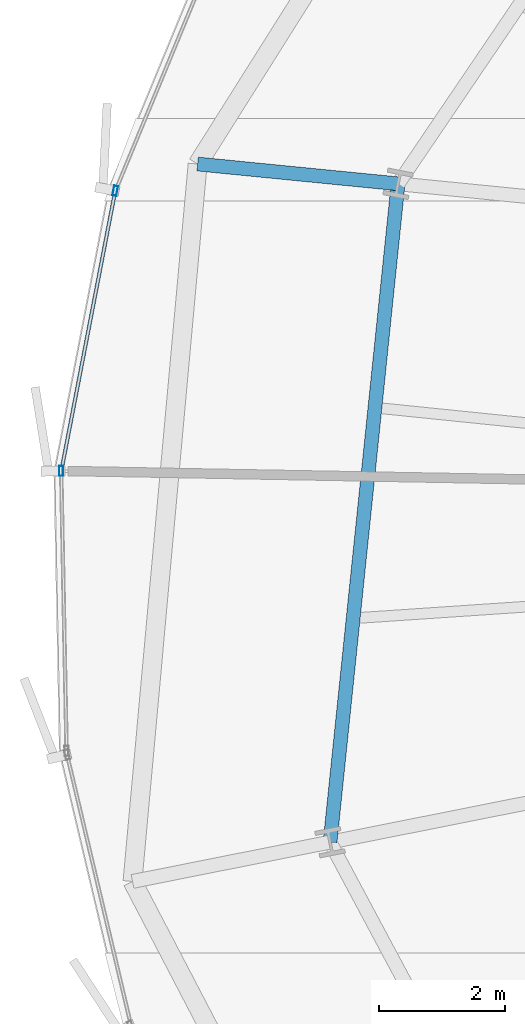
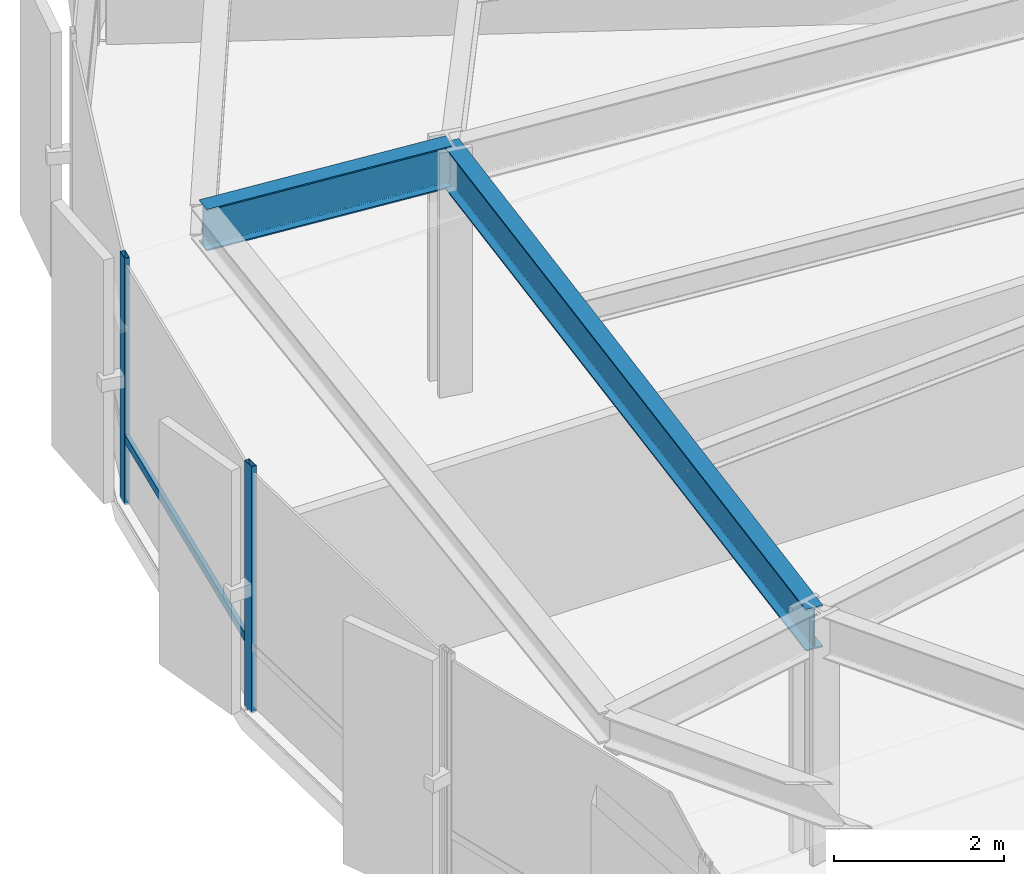
# One storey, part 9 of 37: 3 members, 2 beams, 1 element without a shape of its own.
"""IFC4 building model written with IfcOpenShell, lengths in metres."""

from ifc_helpers import new_model, si_unit, direction, frame, origin, origin_2d, place, context, subcontext, project, spatial, hollow_rectangle, i_section, extrude, source, transform, mapped, material, layer, layer_set, material_profile, profile_set, type_object, element, aggregate, save


model = new_model("IFC4")

# Units and contexts
model_context = context("Model", 3, precision=1e-05, world=origin(), true_north=direction((0.0, 1.0)))
body_context = subcontext(model_context, "Body", "Model", "MODEL_VIEW")
ifc_project = project(units=[si_unit("LENGTHUNIT", "METRE"), si_unit("AREAUNIT", "SQUARE_METRE"), si_unit("VOLUMEUNIT", "CUBIC_METRE"), si_unit("PLANEANGLEUNIT", "RADIAN"), si_unit("MASSUNIT", "GRAM", prefix="KILO"), si_unit("THERMODYNAMICTEMPERATUREUNIT", "KELVIN")], contexts=[model_context])

# Site, building, storey
site_placement = place(None, origin())
site = spatial("IfcSite", under=ifc_project, at=site_placement, CompositionType="ELEMENT")
building_placement = place(site_placement, origin())
building = spatial("IfcBuilding", under=site, at=building_placement, Name="Kethvar Cultural Tower", CompositionType="ELEMENT")
storey_placement = place(building_placement, frame((0.0, 0.0, 60.0)))
storey = spatial("IfcBuildingStorey", under=building, at=storey_placement, Name="L14", CompositionType="ELEMENT", Elevation=60.0)

# Beams
ifc_material_1 = material(Name="Steel S355J2", Category="steel")
ifc_material_profile_1 = material_profile(ifc_material_1, i_section(OverallWidth=0.219970703125, OverallDepth=0.60009765625, WebThickness=0.011962890625, FlangeThickness=0.01904296875, FilletRadius=0.02392578125, at=origin_2d()), Name="Steel S355J2 — IPE600")
ifc_profile_set_1 = profile_set([ifc_material_profile_1], Name="Steel S355J2 — IPE600")
beam_type = type_object("IfcBeamType", Name="BM-IPE600", PredefinedType="BEAM", material=ifc_profile_set_1)
shared_shape_1 = source(origin(), body_context, "Body", "SweptSolid", [
    extrude(i_section(OverallWidth=0.219970703125, OverallDepth=0.60009765625, WebThickness=0.011962890625, FlangeThickness=0.01904296875, FilletRadius=0.02392578125, at=origin_2d()), origin(), (0.0, 0.0, 1.0), 3.199951171875),
])
beam_1_placement = place(storey_placement, frame((21.047119140625, 32.922607421875, 3.248046875), z_axis=(-0.995167757846, 0.098189275096, 0.0), x_axis=(-0.098189275096, -0.995167757846, 0.0)))
element("IfcBeam", 1, at=beam_1_placement, inside=storey, type_object=beam_type, Name="L14 Perimeter Cantilever Beam RC-08", PredefinedType="BEAM", context=body_context, shape_type="MappedRepresentation", body=[
    mapped(shared_shape_1, transform((0.0, 0.0, 0.0), scale=1.0)),
])
shared_shape_2 = source(origin(), body_context, "Body", "SweptSolid", [
    extrude(i_section(OverallWidth=0.219970703125, OverallDepth=0.60009765625, WebThickness=0.011962890625, FlangeThickness=0.01904296875, FilletRadius=0.02392578125, at=origin_2d()), origin(), (0.0, 0.0, 1.0), 10.515869140625),
])
beam_2_placement = place(storey_placement, frame((21.047119140625, 32.922607421875, 3.248046875), z_axis=(-0.102824694973, -0.994699493367, 0.0), x_axis=(0.994699493367, -0.102824694973, 0.0)))
element("IfcBeam", 2, at=beam_2_placement, inside=storey, type_object=beam_type, Name="L14 Column Ring Tie Beam CR-08", PredefinedType="BEAM", context=body_context, shape_type="MappedRepresentation", body=[
    mapped(shared_shape_2, transform((0.0, 0.0, 0.0), scale=1.0)),
])

# Curtain wall, members
ifc_material_2 = material(Name="Aluminium 6063-T6", Category="aluminium")
ifc_layer = layer(ifc_material_2, 0.179931640625, Name="Aluminium 6063-T6", Category="aluminium")
ifc_layer_set = layer_set([ifc_layer], Name="Aluminium 6063-T6 (180 mm)")
curtain_wall_type = type_object("IfcCurtainWallType", Name="CW-SYS-02-Z1", PredefinedType="NOTDEFINED", material=ifc_layer_set)
curtain_wall_placement = place(storey_placement, origin())
curtain_wall = element("IfcCurtainWall", 3, at=curtain_wall_placement, inside=storey, type_object=curtain_wall_type, Name="L14 Curtain Wall Run 03", PredefinedType="NOTDEFINED")
ifc_material_profile_2 = material_profile(ifc_material_2, hollow_rectangle(XDim=0.06494140625, YDim=0.159912109375, WallThickness=0.0048828125, at=origin_2d()), Name="Aluminium 6063-T6 — RHS160x65x5")
ifc_profile_set_2 = profile_set([ifc_material_profile_2], Name="Aluminium 6063-T6 — RHS160x65x5")
member_type_1 = type_object("IfcMemberType", Name="CW-SYS-02-Z1-MUL", PredefinedType="MULLION", material=ifc_profile_set_2)
shared_shape_3 = source(origin(), body_context, "Body", "SweptSolid", [
    extrude(hollow_rectangle(XDim=0.06494140625, YDim=0.159912109375, WallThickness=0.0048828125, at=origin_2d()), origin(), (0.0, 0.0, 1.0), 3.550048828125),
])
member_1_placement = place(storey_placement, frame((16.5537109375, 32.8115234375, 0.0), z_axis=(0.0, 0.0, 1.0), x_axis=(0.981955412209, -0.189112581374, 0.0)))
member_1 = element("IfcMember", 4, at=member_1_placement, type_object=member_type_1, Name="CW-L14-R03 Mullion 5", PredefinedType="MULLION", context=body_context, shape_type="MappedRepresentation", body=[
    mapped(shared_shape_3, transform((0.0, 0.0, 0.0), scale=1.0)),
])
member_2_placement = place(storey_placement, frame((15.694091796875, 28.361083984375, 0.0), z_axis=(0.0, 0.0, 1.0), x_axis=(0.999813021907, 0.019337042821, 0.0)))
member_2 = element("IfcMember", 5, at=member_2_placement, type_object=member_type_1, Name="CW-L14-R03 Mullion 6", PredefinedType="MULLION", context=body_context, shape_type="MappedRepresentation", body=[
    mapped(shared_shape_3, transform((0.0, 0.0, 0.0), scale=1.0)),
])
ifc_material_profile_3 = material_profile(ifc_material_2, hollow_rectangle(XDim=0.054931640625, YDim=0.1201171875, WallThickness=0.00390625, at=origin_2d()), Name="Aluminium 6063-T6 — RHS120x55x4")
ifc_profile_set_3 = profile_set([ifc_material_profile_3], Name="Aluminium 6063-T6 — RHS120x55x4")
member_type_2 = type_object("IfcMemberType", Name="CW-SYS-02-Z1-TRN", PredefinedType="USERDEFINED", material=ifc_profile_set_3)
shared_shape_4 = source(origin(), body_context, "Body", "SweptSolid", [
    extrude(hollow_rectangle(XDim=0.054931640625, YDim=0.1201171875, WallThickness=0.00390625, at=origin_2d()), origin(), (0.0, 0.0, 1.0), 4.464111328125),
])
member_3_placement = place(storey_placement, frame((16.544921875, 32.765625, 0.949951171875), z_axis=(-0.189117168504, -0.981954528773, 0.0), x_axis=(0.981954528773, -0.189117168504, 0.0)))
member_3 = element("IfcMember", 6, at=member_3_placement, type_object=member_type_2, Name="CW-L14-R03 Transom 5", ObjectType="TRANSOM", PredefinedType="USERDEFINED", context=body_context, shape_type="MappedRepresentation", body=[
    mapped(shared_shape_4, transform((0.0, 0.0, 0.0), scale=1.0)),
])
aggregate(curtain_wall, [member_1, member_2, member_3])

save(model, "model.ifc")
